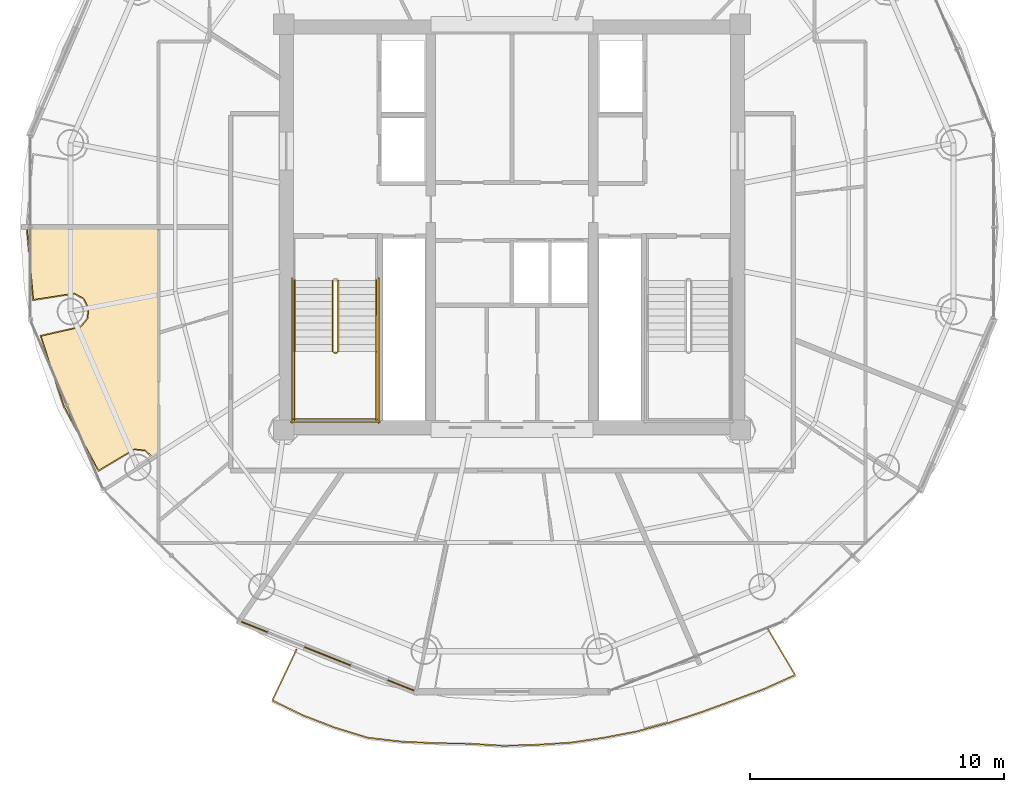
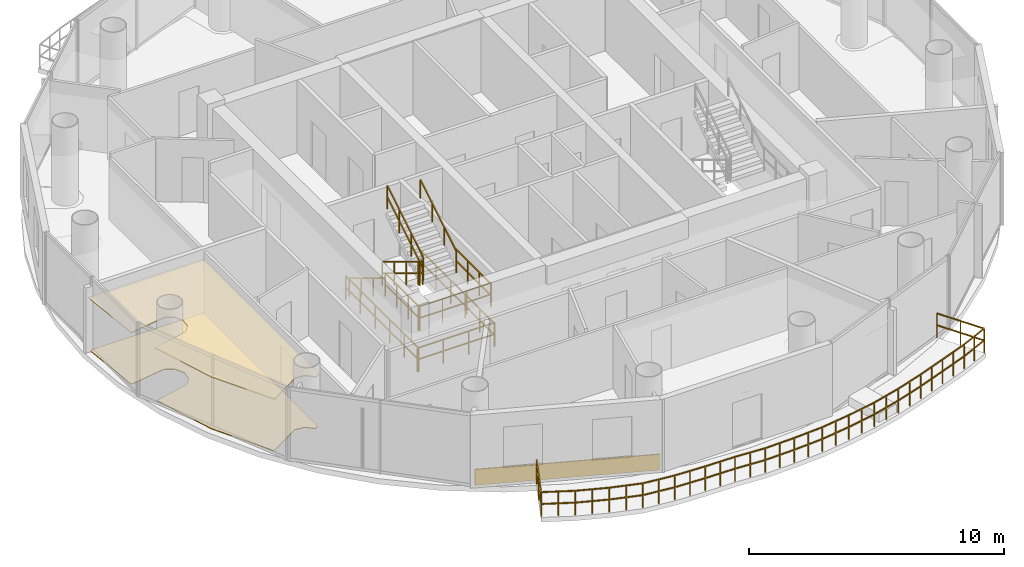
# One storey, part 22 of 24: 12 railings, 3 coverings.
"""IFC4 building model written with IfcOpenShell, lengths in metres."""

from ifc_helpers import new_model, si_unit, direction, frame, origin, origin_2d, place, context, subcontext, project, spatial, polyline, rectangle, outline, extrude, source, transform, mapped, material, layer, layer_set, type_object, element, save


model = new_model("IFC4")

# Units and contexts
model_context = context("Model", 3, precision=1e-05, world=origin(), true_north=direction((-0.2419218956, 0.970295726276)))
body_context = subcontext(model_context, "Body", "Model", "MODEL_VIEW")
ifc_project = project(units=[si_unit("LENGTHUNIT", "METRE"), si_unit("AREAUNIT", "SQUARE_METRE"), si_unit("VOLUMEUNIT", "CUBIC_METRE"), si_unit("PLANEANGLEUNIT", "RADIAN"), si_unit("MASSUNIT", "GRAM", prefix="KILO")], contexts=[model_context])

# Site, building, storey
site_placement = place(None, origin())
site = spatial("IfcSite", under=ifc_project, at=site_placement, CompositionType="ELEMENT")
building_placement = place(site_placement, origin())
building = spatial("IfcBuilding", under=site, at=building_placement, Name="Cobrevalo Terracotta Tower", CompositionType="ELEMENT")
storey_placement = place(building_placement, frame((0.0, 0.0, 270.699951171875)))
storey = spatial("IfcBuildingStorey", under=building, at=storey_placement, Name="L71", CompositionType="ELEMENT", Elevation=270.699951171875)

# Railing
ifc_material_1 = material(Name="Laminated structural glass and stainless steel", Category="steel")
railing_type_1 = type_object("IfcRailingType", Name="Balcony lobe structural glass & terracotta-cap balustrade 1180 mm", PredefinedType="BALUSTRADE", material=ifc_material_1)
railing_1_placement = place(storey_placement, frame((29.495849609375, 10.136474609375, 0.0)))
element("IfcRailing", 1, at=railing_1_placement, inside=storey, type_object=railing_type_1, Name="L71 spiralling balcony lobe balustrade 2", PredefinedType="BALUSTRADE", context=body_context, shape_type="SweptSolid", body=[
    extrude(rectangle(XDim=0.048095703125, YDim=0.048095703125, at=origin_2d()), frame((0.0, 0.0, 1.15576171875), z_axis=(-0.42853223145, -0.903526494691, 0.0), x_axis=(0.903526494691, -0.42853223145, 0.0)), (0.0, 0.0, 1.0), 2.212158203125),
    extrude(rectangle(XDim=0.048095703125, YDim=0.048095703125, at=origin_2d()), frame((0.0, 0.0, 0.58984375), z_axis=(-0.42853223145, -0.903526494691, 0.0), x_axis=(0.903526494691, -0.42853223145, 0.0)), (0.0, 0.0, 1.0), 2.212158203125),
    extrude(rectangle(XDim=0.048095703125, YDim=0.048095703125, at=origin_2d()), frame((-0.947998046875, -1.998779296875, 1.15576171875), z_axis=(0.899457144441, -0.437008976239, 0.0), x_axis=(0.437008976239, 0.899457144441, 0.0)), (0.0, 0.0, 1.0), 1.343505859375),
    extrude(rectangle(XDim=0.048095703125, YDim=0.048095703125, at=origin_2d()), frame((-0.947998046875, -1.998779296875, 0.58984375), z_axis=(0.899457144441, -0.437008976239, 0.0), x_axis=(0.437008976239, 0.899457144441, 0.0)), (0.0, 0.0, 1.0), 1.343505859375),
    extrude(rectangle(XDim=0.048095703125, YDim=0.048095703125, at=origin_2d()), frame((0.260498046875, -2.5859375, 1.15576171875), z_axis=(0.933205564217, -0.359342976716, 0.0), x_axis=(0.359342976716, 0.933205564217, 0.0)), (0.0, 0.0, 1.0), 1.3486328125),
    extrude(rectangle(XDim=0.048095703125, YDim=0.048095703125, at=origin_2d()), frame((0.260498046875, -2.5859375, 0.58984375), z_axis=(0.933205564217, -0.359342976716, 0.0), x_axis=(0.359342976716, 0.933205564217, 0.0)), (0.0, 0.0, 1.0), 1.3486328125),
    extrude(rectangle(XDim=0.048095703125, YDim=0.048095703125, at=origin_2d()), frame((1.51904296875, -3.070556640625, 1.15576171875), z_axis=(0.955888441057, -0.293729958047, 0.0), x_axis=(0.293729958047, 0.955888441057, 0.0)), (0.0, 0.0, 1.0), 1.349853515625),
    extrude(rectangle(XDim=0.048095703125, YDim=0.048095703125, at=origin_2d()), frame((1.51904296875, -3.070556640625, 0.58984375), z_axis=(0.955888441057, -0.293729958047, 0.0), x_axis=(0.293729958047, 0.955888441057, 0.0)), (0.0, 0.0, 1.0), 1.349853515625),
    extrude(rectangle(XDim=0.048095703125, YDim=0.048095703125, at=origin_2d()), frame((2.809326171875, -3.467041015625, 1.15576171875), z_axis=(0.993162895701, -0.116736723456, 0.0), x_axis=(0.116736723456, 0.993162895701, 0.0)), (0.0, 0.0, 1.0), 1.355224609375),
    extrude(rectangle(XDim=0.048095703125, YDim=0.048095703125, at=origin_2d()), frame((2.809326171875, -3.467041015625, 0.58984375), z_axis=(0.993162895701, -0.116736723456, 0.0), x_axis=(0.116736723456, 0.993162895701, 0.0)), (0.0, 0.0, 1.0), 1.355224609375),
    extrude(rectangle(XDim=0.048095703125, YDim=0.048095703125, at=origin_2d()), frame((4.1552734375, -3.625244140625, 1.15576171875), z_axis=(0.999055816775, -0.04344507991, 0.0), x_axis=(0.04344507991, 0.999055816775, 0.0)), (0.0, 0.0, 1.0), 1.3486328125),
    extrude(rectangle(XDim=0.048095703125, YDim=0.048095703125, at=origin_2d()), frame((4.1552734375, -3.625244140625, 0.58984375), z_axis=(0.999055816775, -0.04344507991, 0.0), x_axis=(0.04344507991, 0.999055816775, 0.0)), (0.0, 0.0, 1.0), 1.3486328125),
    extrude(rectangle(XDim=0.048095703125, YDim=0.048095703125, at=origin_2d()), frame((5.502685546875, -3.683837890625, 1.15576171875), z_axis=(0.999879110149, -0.015548796993, 0.0), x_axis=(0.015548796993, 0.999879110149, 0.0)), (0.0, 0.0, 1.0), 1.334716796875),
    extrude(rectangle(XDim=0.048095703125, YDim=0.048095703125, at=origin_2d()), frame((5.502685546875, -3.683837890625, 0.58984375), z_axis=(0.999879110149, -0.015548796993, 0.0), x_axis=(0.015548796993, 0.999879110149, 0.0)), (0.0, 0.0, 1.0), 1.334716796875),
    extrude(rectangle(XDim=0.048095703125, YDim=0.048095703125, at=origin_2d()), frame((6.837158203125, -3.70458984375, 1.15576171875), z_axis=(0.998102322699, -0.06157721512, 0.0), x_axis=(0.06157721512, 0.998102322699, 0.0)), (0.0, 0.0, 1.0), 1.328125),
    extrude(rectangle(XDim=0.048095703125, YDim=0.048095703125, at=origin_2d()), frame((6.837158203125, -3.70458984375, 0.58984375), z_axis=(0.998102322699, -0.06157721512, 0.0), x_axis=(0.06157721512, 0.998102322699, 0.0)), (0.0, 0.0, 1.0), 1.328125),
    extrude(rectangle(XDim=0.048095703125, YDim=0.048095703125, at=origin_2d()), frame((8.162841796875, -3.786376953125, 1.15576171875), z_axis=(0.999571564525, 0.029269222608, 0.0), x_axis=(-0.029269222608, 0.999571564525, 0.0)), (0.0, 0.0, 1.0), 1.326171875),
    extrude(rectangle(XDim=0.048095703125, YDim=0.048095703125, at=origin_2d()), frame((8.162841796875, -3.786376953125, 0.58984375), z_axis=(0.999571564525, 0.029269222608, 0.0), x_axis=(-0.029269222608, 0.999571564525, 0.0)), (0.0, 0.0, 1.0), 1.326171875),
    extrude(rectangle(XDim=0.048095703125, YDim=0.048095703125, at=origin_2d()), frame((9.488525390625, -3.74755859375, 1.15576171875), z_axis=(0.997951891363, 0.063968918437, 0.0), x_axis=(-0.063968918437, 0.997951891363, 0.0)), (0.0, 0.0, 1.0), 1.328125),
    extrude(rectangle(XDim=0.048095703125, YDim=0.048095703125, at=origin_2d()), frame((9.488525390625, -3.74755859375, 0.58984375), z_axis=(0.997951891363, 0.063968918437, 0.0), x_axis=(-0.063968918437, 0.997951891363, 0.0)), (0.0, 0.0, 1.0), 1.328125),
    extrude(rectangle(XDim=0.048095703125, YDim=0.048095703125, at=origin_2d()), frame((10.81396484375, -3.66259765625, 1.15576171875), z_axis=(0.989324788623, 0.145727357132, 0.0), x_axis=(-0.145727357132, 0.989324788623, 0.0)), (0.0, 0.0, 1.0), 1.3251953125),
    extrude(rectangle(XDim=0.048095703125, YDim=0.048095703125, at=origin_2d()), frame((10.81396484375, -3.66259765625, 0.58984375), z_axis=(0.989324788623, 0.145727357132, 0.0), x_axis=(-0.145727357132, 0.989324788623, 0.0)), (0.0, 0.0, 1.0), 1.3251953125),
    extrude(rectangle(XDim=0.048095703125, YDim=0.048095703125, at=origin_2d()), frame((12.125, -3.469482421875, 1.15576171875), z_axis=(0.982018256881, 0.188785971812, 0.0), x_axis=(-0.188785971812, 0.982018256881, 0.0)), (0.0, 0.0, 1.0), 1.326904296875),
    extrude(rectangle(XDim=0.048095703125, YDim=0.048095703125, at=origin_2d()), frame((12.125, -3.469482421875, 0.58984375), z_axis=(0.982018256881, 0.188785971812, 0.0), x_axis=(-0.188785971812, 0.982018256881, 0.0)), (0.0, 0.0, 1.0), 1.326904296875),
    extrude(rectangle(XDim=0.048095703125, YDim=0.048095703125, at=origin_2d()), frame((13.427978515625, -3.218994140625, 1.15576171875), z_axis=(0.96557656112, 0.260119020095, 0.0), x_axis=(-0.260119020095, 0.96557656112, 0.0)), (0.0, 0.0, 1.0), 1.323486328125),
    extrude(rectangle(XDim=0.048095703125, YDim=0.048095703125, at=origin_2d()), frame((13.427978515625, -3.218994140625, 0.58984375), z_axis=(0.96557656112, 0.260119020095, 0.0), x_axis=(-0.260119020095, 0.96557656112, 0.0)), (0.0, 0.0, 1.0), 1.323486328125),
    extrude(rectangle(XDim=0.048095703125, YDim=0.048095703125, at=origin_2d()), frame((14.705810546875, -2.874755859375, 1.15576171875), z_axis=(0.950310908011, 0.311302390153, 0.0), x_axis=(-0.311302390153, 0.950310908011, 0.0)), (0.0, 0.0, 1.0), 1.32470703125),
    extrude(rectangle(XDim=0.048095703125, YDim=0.048095703125, at=origin_2d()), frame((14.705810546875, -2.874755859375, 0.58984375), z_axis=(0.950310908011, 0.311302390153, 0.0), x_axis=(-0.311302390153, 0.950310908011, 0.0)), (0.0, 0.0, 1.0), 1.32470703125),
    extrude(rectangle(XDim=0.048095703125, YDim=0.048095703125, at=origin_2d()), frame((15.964599609375, -2.46240234375, 1.15576171875), z_axis=(0.939188219159, 0.343402808656, 0.0), x_axis=(-0.343402808656, 0.939188219159, 0.0)), (0.0, 0.0, 1.0), 1.322265625),
    extrude(rectangle(XDim=0.048095703125, YDim=0.048095703125, at=origin_2d()), frame((15.964599609375, -2.46240234375, 0.58984375), z_axis=(0.939188219159, 0.343402808656, 0.0), x_axis=(-0.343402808656, 0.939188219159, 0.0)), (0.0, 0.0, 1.0), 1.322265625),
    extrude(rectangle(XDim=0.048095703125, YDim=0.048095703125, at=origin_2d()), frame((17.20654296875, -2.00830078125, 1.15576171875), z_axis=(0.937012739346, 0.349295185056, 0.0), x_axis=(-0.349295185056, 0.937012739346, 0.0)), (0.0, 0.0, 1.0), 1.332275390625),
    extrude(rectangle(XDim=0.048095703125, YDim=0.048095703125, at=origin_2d()), frame((17.20654296875, -2.00830078125, 0.58984375), z_axis=(0.937012739346, 0.349295185056, 0.0), x_axis=(-0.349295185056, 0.937012739346, 0.0)), (0.0, 0.0, 1.0), 1.332275390625),
    extrude(rectangle(XDim=0.048095703125, YDim=0.048095703125, at=origin_2d()), frame((18.454833984375, -1.54296875, 1.15576171875), z_axis=(0.911571966461, 0.411140547699, 0.0), x_axis=(-0.411140547699, 0.911571966461, 0.0)), (0.0, 0.0, 1.0), 1.334228515625),
    extrude(rectangle(XDim=0.048095703125, YDim=0.048095703125, at=origin_2d()), frame((18.454833984375, -1.54296875, 0.58984375), z_axis=(0.911571966461, 0.411140547699, 0.0), x_axis=(-0.411140547699, 0.911571966461, 0.0)), (0.0, 0.0, 1.0), 1.334228515625),
    extrude(rectangle(XDim=0.048095703125, YDim=0.048095703125, at=origin_2d()), frame((19.671142578125, -0.994384765625, 1.15576171875), z_axis=(-0.509498750824, 0.860471395753, 0.0), x_axis=(-0.860471395753, -0.509498750824, 0.0)), (0.0, 0.0, 1.0), 2.115966796875),
    extrude(rectangle(XDim=0.048095703125, YDim=0.048095703125, at=origin_2d()), frame((19.671142578125, -0.994384765625, 0.58984375), z_axis=(-0.509498750824, 0.860471395753, 0.0), x_axis=(-0.860471395753, -0.509498750824, 0.0)), (0.0, 0.0, 1.0), 2.115966796875),
    extrude(rectangle(XDim=0.0419921875, YDim=0.0419921875, at=origin_2d()), origin(), (0.0, 0.0, 1.0), 1.1318359375),
    extrude(rectangle(XDim=0.0419921875, YDim=0.0419921875, at=origin_2d()), frame((-0.47412109375, -0.99951171875, 0.0)), (0.0, 0.0, 1.0), 1.1318359375),
    extrude(rectangle(XDim=0.0419921875, YDim=0.0419921875, at=origin_2d()), frame((-0.947998046875, -1.998779296875, 0.0)), (0.0, 0.0, 1.0), 1.1318359375),
    extrude(rectangle(XDim=0.0419921875, YDim=0.0419921875, at=origin_2d()), frame((-0.34375, -2.29248046875, 0.0)), (0.0, 0.0, 1.0), 1.1318359375),
    extrude(rectangle(XDim=0.0419921875, YDim=0.0419921875, at=origin_2d()), frame((0.260498046875, -2.5859375, 0.0)), (0.0, 0.0, 1.0), 1.1318359375),
    extrude(rectangle(XDim=0.0419921875, YDim=0.0419921875, at=origin_2d()), frame((0.8896484375, -2.828125, 0.0)), (0.0, 0.0, 1.0), 1.1318359375),
    extrude(rectangle(XDim=0.0419921875, YDim=0.0419921875, at=origin_2d()), frame((1.51904296875, -3.070556640625, 0.0)), (0.0, 0.0, 1.0), 1.1318359375),
    extrude(rectangle(XDim=0.0419921875, YDim=0.0419921875, at=origin_2d()), frame((2.1640625, -3.268798828125, 0.0)), (0.0, 0.0, 1.0), 1.1318359375),
    extrude(rectangle(XDim=0.0419921875, YDim=0.0419921875, at=origin_2d()), frame((2.809326171875, -3.467041015625, 0.0)), (0.0, 0.0, 1.0), 1.1318359375),
    extrude(rectangle(XDim=0.0419921875, YDim=0.0419921875, at=origin_2d()), frame((3.482421875, -3.546142578125, 0.0)), (0.0, 0.0, 1.0), 1.1318359375),
    extrude(rectangle(XDim=0.0419921875, YDim=0.0419921875, at=origin_2d()), frame((4.1552734375, -3.625244140625, 0.0)), (0.0, 0.0, 1.0), 1.1318359375),
    extrude(rectangle(XDim=0.0419921875, YDim=0.0419921875, at=origin_2d()), frame((4.8291015625, -3.654541015625, 0.0)), (0.0, 0.0, 1.0), 1.1318359375),
    extrude(rectangle(XDim=0.0419921875, YDim=0.0419921875, at=origin_2d()), frame((5.502685546875, -3.683837890625, 0.0)), (0.0, 0.0, 1.0), 1.1318359375),
    extrude(rectangle(XDim=0.0419921875, YDim=0.0419921875, at=origin_2d()), frame((6.169921875, -3.6943359375, 0.0)), (0.0, 0.0, 1.0), 1.1318359375),
    extrude(rectangle(XDim=0.0419921875, YDim=0.0419921875, at=origin_2d()), frame((6.837158203125, -3.70458984375, 0.0)), (0.0, 0.0, 1.0), 1.1318359375),
    extrude(rectangle(XDim=0.0419921875, YDim=0.0419921875, at=origin_2d()), frame((7.5, -3.74560546875, 0.0)), (0.0, 0.0, 1.0), 1.1318359375),
    extrude(rectangle(XDim=0.0419921875, YDim=0.0419921875, at=origin_2d()), frame((8.162841796875, -3.786376953125, 0.0)), (0.0, 0.0, 1.0), 1.1318359375),
    extrude(rectangle(XDim=0.0419921875, YDim=0.0419921875, at=origin_2d()), frame((8.82568359375, -3.76708984375, 0.0)), (0.0, 0.0, 1.0), 1.1318359375),
    extrude(rectangle(XDim=0.0419921875, YDim=0.0419921875, at=origin_2d()), frame((9.488525390625, -3.74755859375, 0.0)), (0.0, 0.0, 1.0), 1.1318359375),
    extrude(rectangle(XDim=0.0419921875, YDim=0.0419921875, at=origin_2d()), frame((10.1513671875, -3.705078125, 0.0)), (0.0, 0.0, 1.0), 1.1318359375),
    extrude(rectangle(XDim=0.0419921875, YDim=0.0419921875, at=origin_2d()), frame((10.81396484375, -3.66259765625, 0.0)), (0.0, 0.0, 1.0), 1.1318359375),
    extrude(rectangle(XDim=0.0419921875, YDim=0.0419921875, at=origin_2d()), frame((11.469482421875, -3.56591796875, 0.0)), (0.0, 0.0, 1.0), 1.1318359375),
    extrude(rectangle(XDim=0.0419921875, YDim=0.0419921875, at=origin_2d()), frame((12.125, -3.469482421875, 0.0)), (0.0, 0.0, 1.0), 1.1318359375),
    extrude(rectangle(XDim=0.0419921875, YDim=0.0419921875, at=origin_2d()), frame((12.7763671875, -3.34423828125, 0.0)), (0.0, 0.0, 1.0), 1.1318359375),
    extrude(rectangle(XDim=0.0419921875, YDim=0.0419921875, at=origin_2d()), frame((13.427978515625, -3.218994140625, 0.0)), (0.0, 0.0, 1.0), 1.1318359375),
    extrude(rectangle(XDim=0.0419921875, YDim=0.0419921875, at=origin_2d()), frame((14.06689453125, -3.046875, 0.0)), (0.0, 0.0, 1.0), 1.1318359375),
    extrude(rectangle(XDim=0.0419921875, YDim=0.0419921875, at=origin_2d()), frame((14.705810546875, -2.874755859375, 0.0)), (0.0, 0.0, 1.0), 1.1318359375),
    extrude(rectangle(XDim=0.0419921875, YDim=0.0419921875, at=origin_2d()), frame((15.335205078125, -2.66845703125, 0.0)), (0.0, 0.0, 1.0), 1.1318359375),
    extrude(rectangle(XDim=0.0419921875, YDim=0.0419921875, at=origin_2d()), frame((15.964599609375, -2.46240234375, 0.0)), (0.0, 0.0, 1.0), 1.1318359375),
    extrude(rectangle(XDim=0.0419921875, YDim=0.0419921875, at=origin_2d()), frame((16.58544921875, -2.2353515625, 0.0)), (0.0, 0.0, 1.0), 1.1318359375),
    extrude(rectangle(XDim=0.0419921875, YDim=0.0419921875, at=origin_2d()), frame((17.20654296875, -2.00830078125, 0.0)), (0.0, 0.0, 1.0), 1.1318359375),
    extrude(rectangle(XDim=0.0419921875, YDim=0.0419921875, at=origin_2d()), frame((17.83056640625, -1.775634765625, 0.0)), (0.0, 0.0, 1.0), 1.1318359375),
    extrude(rectangle(XDim=0.0419921875, YDim=0.0419921875, at=origin_2d()), frame((18.454833984375, -1.54296875, 0.0)), (0.0, 0.0, 1.0), 1.1318359375),
    extrude(rectangle(XDim=0.0419921875, YDim=0.0419921875, at=origin_2d()), frame((19.06298828125, -1.2685546875, 0.0)), (0.0, 0.0, 1.0), 1.1318359375),
    extrude(rectangle(XDim=0.0419921875, YDim=0.0419921875, at=origin_2d()), frame((19.671142578125, -0.994384765625, 0.0)), (0.0, 0.0, 1.0), 1.1318359375),
    extrude(rectangle(XDim=0.0419921875, YDim=0.0419921875, at=origin_2d()), frame((19.132080078125, -0.083984375, 0.0)), (0.0, 0.0, 1.0), 1.1318359375),
    extrude(rectangle(XDim=0.0419921875, YDim=0.0419921875, at=origin_2d()), frame((18.593017578125, 0.826416015625, 0.0)), (0.0, 0.0, 1.0), 1.1318359375),
])

# Coverings
ifc_material_2 = material(Name="Engineered Brazilian hardwood flooring", Category="wood")
ifc_layer_1 = layer(ifc_material_2, 0.028076171875)
ifc_layer_set_1 = layer_set([ifc_layer_1], Name="Engineered Brazilian hardwood flooring")
covering_type_1 = type_object("IfcCoveringType", Name="Engineered Hardwood Suite Flooring 28", PredefinedType="FLOORING", material=ifc_layer_set_1)
covering_1_placement = place(storey_placement, origin())
element("IfcCovering", 2, at=covering_1_placement, inside=storey, type_object=covering_type_1, Name="Flat L71B Living and Dining Room floor finish", PredefinedType="FLOORING", context=body_context, shape_type="SweptSolid", body=[
    extrude(outline(polyline([(20.33544921875, 19.751220703125), (19.43505859375, 22.49951171875), (20.99755859375, 22.855224609375), (21.272705078125, 23.185302734375), (21.318115234375, 23.612548828125), (21.118408203125, 23.9931640625), (20.740966796875, 24.198486328125), (19.1357421875, 23.948974609375), (18.88134765625, 26.780029296875), (24.034912109375, 26.780029296875), (24.034912109375, 17.829345703125), (23.864501953125, 17.719482421875), (23.537109375, 18.005859375), (23.1103515625, 18.055908203125), (21.699951171875, 17.217529296875), (20.33544921875, 19.751220703125)])), origin(), (0.0, 0.0, 1.0), 0.030029296875),
])
ifc_material_3 = material(Name="Acoustic perforated gypsum ceiling", Category="gypsum")
ifc_layer_2 = layer(ifc_material_3, 0.050048828125)
ifc_layer_set_2 = layer_set([ifc_layer_2], Name="Acoustic perforated gypsum ceiling")
covering_type_2 = type_object("IfcCoveringType", Name="Perforated Acoustic Gypsum Ceiling 50", PredefinedType="CEILING", material=ifc_layer_set_2)
covering_2_placement = place(storey_placement, frame((0.0, 0.0, 2.5)))
element("IfcCovering", 3, at=covering_2_placement, inside=storey, type_object=covering_type_2, Name="Flat L71B Living and Dining Room acoustic ceiling", PredefinedType="CEILING", context=body_context, shape_type="SweptSolid", body=[
    extrude(outline(polyline([(20.2939453125, 19.7333984375), (19.3818359375, 22.53515625), (20.97265625, 22.89306640625), (21.23095703125, 23.202880859375), (21.273681640625, 23.60400390625), (21.086181640625, 23.96142578125), (20.731689453125, 24.154296875), (19.100830078125, 23.896484375), (18.833251953125, 26.824951171875), (24.080078125, 26.824951171875), (24.080078125, 17.804931640625), (23.853271484375, 17.658935546875), (23.51904296875, 17.964599609375), (23.118408203125, 18.011474609375), (21.687744140625, 17.15625), (20.2939453125, 19.7333984375)])), origin(), (0.0, 0.0, 1.0), 0.050048828125),
])

# Railings
ifc_material_4 = material(Name="Brushed stainless steel", Category="steel")
railing_type_2 = type_object("IfcRailingType", Name="Stainless Steel Stair Handrail 900", PredefinedType="HANDRAIL", material=ifc_material_4)
railing_2_placement = place(storey_placement, frame((29.425048828125, 24.699951171875, 0.17041015625)))
element("IfcRailing", 4, at=railing_2_placement, inside=storey, type_object=railing_type_2, Name="L71 ST-1 stair handrail 1", PredefinedType="HANDRAIL", context=body_context, shape_type="SweptSolid", body=[
    extrude(rectangle(XDim=0.048095703125, YDim=0.048095703125, at=origin_2d()), frame((0.0, 0.0, 0.8759765625), z_axis=(0.0, -0.854169791009, 0.51999420009), x_axis=(1.0, 0.0, 0.0)), (0.0, 0.0, 1.0), 3.278076171875),
    extrude(rectangle(XDim=0.0419921875, YDim=0.0419921875, at=origin_2d()), origin(), (0.0, 0.0, 1.0), 0.851806640625),
    extrude(rectangle(XDim=0.0419921875, YDim=0.0419921875, at=origin_2d()), frame((0.0, -0.933349609375, 0.568115234375)), (0.0, 0.0, 1.0), 0.851806640625),
    extrude(rectangle(XDim=0.0419921875, YDim=0.0419921875, at=origin_2d()), frame((0.0, -1.86669921875, 1.136474609375)), (0.0, 0.0, 1.0), 0.851806640625),
    extrude(rectangle(XDim=0.0419921875, YDim=0.0419921875, at=origin_2d()), frame((0.0, -2.800048828125, 1.70458984375)), (0.0, 0.0, 1.0), 0.851806640625),
])
railing_3_placement = place(storey_placement, frame((32.64501953125, 21.89990234375, 2.04541015625)))
element("IfcRailing", 5, at=railing_3_placement, inside=storey, type_object=railing_type_2, Name="L71 ST-1 stair handrail 2", PredefinedType="HANDRAIL", context=body_context, shape_type="SweptSolid", body=[
    extrude(rectangle(XDim=0.048095703125, YDim=0.048095703125, at=origin_2d()), frame((0.0, 0.0, 0.8759765625), z_axis=(0.0, 0.854169791009, 0.51999420009), x_axis=(-1.0, 0.0, 0.0)), (0.0, 0.0, 1.0), 3.278076171875),
    extrude(rectangle(XDim=0.0419921875, YDim=0.0419921875, at=origin_2d()), origin(), (0.0, 0.0, 1.0), 0.851806640625),
    extrude(rectangle(XDim=0.0419921875, YDim=0.0419921875, at=origin_2d()), frame((0.0, 0.933349609375, 0.568115234375)), (0.0, 0.0, 1.0), 0.851806640625),
    extrude(rectangle(XDim=0.0419921875, YDim=0.0419921875, at=origin_2d()), frame((0.0, 1.86669921875, 1.136474609375)), (0.0, 0.0, 1.0), 0.851806640625),
    extrude(rectangle(XDim=0.0419921875, YDim=0.0419921875, at=origin_2d()), frame((0.0, 2.800048828125, 1.70458984375)), (0.0, 0.0, 1.0), 0.851806640625),
])
ifc_material_5 = material(Name="Painted galvanized steel", Category="steel")
railing_type_3 = type_object("IfcRailingType", Name="Stair Well Guard Balustrade 1150", PredefinedType="GUARDRAIL", material=ifc_material_5)
railing_4_placement = place(storey_placement, frame((30.925048828125, 24.699951171875, 0.17041015625)))
element("IfcRailing", 6, at=railing_4_placement, inside=storey, type_object=railing_type_3, Name="L71 ST-1 stair guard 1", PredefinedType="GUARDRAIL", context=body_context, shape_type="SweptSolid", body=[
    extrude(rectangle(XDim=0.048095703125, YDim=0.048095703125, at=origin_2d()), frame((0.0, 0.0, 1.1259765625), z_axis=(0.0, -0.854169791009, 0.51999420009), x_axis=(1.0, 0.0, 0.0)), (0.0, 0.0, 1.0), 3.278076171875),
    extrude(rectangle(XDim=0.048095703125, YDim=0.048095703125, at=origin_2d()), frame((0.0, 0.0, 0.574951171875), z_axis=(0.0, -0.854169791009, 0.51999420009), x_axis=(1.0, 0.0, 0.0)), (0.0, 0.0, 1.0), 3.278076171875),
    extrude(rectangle(XDim=0.0419921875, YDim=0.0419921875, at=origin_2d()), origin(), (0.0, 0.0, 1.0), 1.101806640625),
    extrude(rectangle(XDim=0.0419921875, YDim=0.0419921875, at=origin_2d()), frame((0.0, -0.933349609375, 0.568115234375)), (0.0, 0.0, 1.0), 1.101806640625),
    extrude(rectangle(XDim=0.0419921875, YDim=0.0419921875, at=origin_2d()), frame((0.0, -1.86669921875, 1.136474609375)), (0.0, 0.0, 1.0), 1.101806640625),
    extrude(rectangle(XDim=0.0419921875, YDim=0.0419921875, at=origin_2d()), frame((0.0, -2.800048828125, 1.70458984375)), (0.0, 0.0, 1.0), 1.101806640625),
])
railing_5_placement = place(storey_placement, frame((30.97509765625, 21.85009765625, 1.875)))
element("IfcRailing", 7, at=railing_5_placement, inside=storey, type_object=railing_type_3, Name="L71 ST-1 stair guard 2", PredefinedType="GUARDRAIL", context=body_context, shape_type="SweptSolid", body=[
    extrude(rectangle(XDim=0.048095703125, YDim=0.048095703125, at=origin_2d()), frame((0.0, 0.0, 1.1259765625), z_axis=(1.0, 0.0, 0.0), x_axis=(0.0, 1.0, 0.0)), (0.0, 0.0, 1.0), 0.119873046875),
    extrude(rectangle(XDim=0.048095703125, YDim=0.048095703125, at=origin_2d()), frame((0.0, 0.0, 0.574951171875), z_axis=(1.0, 0.0, 0.0), x_axis=(0.0, 1.0, 0.0)), (0.0, 0.0, 1.0), 0.119873046875),
    extrude(rectangle(XDim=0.0419921875, YDim=0.0419921875, at=origin_2d()), origin(), (0.0, 0.0, 1.0), 1.101806640625),
    extrude(rectangle(XDim=0.0419921875, YDim=0.0419921875, at=origin_2d()), frame((0.119873046875, 0.0, 0.0)), (0.0, 0.0, 1.0), 1.101806640625),
])
for number, where, name in (
    (8, (29.425048828125, 21.89990234375, 1.875), "L71 ST-1 stair guard 3"),
    (9, (32.64501953125, 21.89990234375, 1.875), "L71 ST-1 stair guard 4"),
):
    element("IfcRailing", number, at=place(storey_placement, frame(where)), inside=storey, type_object=railing_type_3, Name=name, PredefinedType="GUARDRAIL", context=body_context, shape_type="SweptSolid", body=[
        extrude(rectangle(XDim=0.048095703125, YDim=0.048095703125, at=origin_2d()), frame((0.0, 0.0, 1.1259765625), z_axis=(0.0, -1.0, 0.0), x_axis=(1.0, 0.0, 0.0)), (0.0, 0.0, 1.0), 2.724853515625),
        extrude(rectangle(XDim=0.048095703125, YDim=0.048095703125, at=origin_2d()), frame((0.0, 0.0, 0.574951171875), z_axis=(0.0, -1.0, 0.0), x_axis=(1.0, 0.0, 0.0)), (0.0, 0.0, 1.0), 2.724853515625),
        extrude(rectangle(XDim=0.0419921875, YDim=0.0419921875, at=origin_2d()), origin(), (0.0, 0.0, 1.0), 1.101806640625),
        extrude(rectangle(XDim=0.0419921875, YDim=0.0419921875, at=origin_2d()), frame((0.0, -0.908203125, 0.0)), (0.0, 0.0, 1.0), 1.101806640625),
        extrude(rectangle(XDim=0.0419921875, YDim=0.0419921875, at=origin_2d()), frame((0.0, -1.816650390625, 0.0)), (0.0, 0.0, 1.0), 1.101806640625),
        extrude(rectangle(XDim=0.0419921875, YDim=0.0419921875, at=origin_2d()), frame((0.0, -2.724853515625, 0.0)), (0.0, 0.0, 1.0), 1.101806640625),
    ])
railing_6_placement = place(storey_placement, frame((29.375, 19.22509765625, 1.875)))
element("IfcRailing", 10, at=railing_6_placement, inside=storey, type_object=railing_type_3, Name="L71 ST-1 stair guard 5", PredefinedType="GUARDRAIL", context=body_context, shape_type="SweptSolid", body=[
    extrude(rectangle(XDim=0.048095703125, YDim=0.048095703125, at=origin_2d()), frame((0.0, 0.0, 1.1259765625), z_axis=(1.0, 0.0, 0.0), x_axis=(0.0, 1.0, 0.0)), (0.0, 0.0, 1.0), 3.320068359375),
    extrude(rectangle(XDim=0.048095703125, YDim=0.048095703125, at=origin_2d()), frame((0.0, 0.0, 0.574951171875), z_axis=(1.0, 0.0, 0.0), x_axis=(0.0, 1.0, 0.0)), (0.0, 0.0, 1.0), 3.320068359375),
    extrude(rectangle(XDim=0.0419921875, YDim=0.0419921875, at=origin_2d()), origin(), (0.0, 0.0, 1.0), 1.101806640625),
    extrude(rectangle(XDim=0.0419921875, YDim=0.0419921875, at=origin_2d()), frame((1.106689453125, 0.0, 0.0)), (0.0, 0.0, 1.0), 1.101806640625),
    extrude(rectangle(XDim=0.0419921875, YDim=0.0419921875, at=origin_2d()), frame((2.21337890625, 0.0, 0.0)), (0.0, 0.0, 1.0), 1.101806640625),
    extrude(rectangle(XDim=0.0419921875, YDim=0.0419921875, at=origin_2d()), frame((3.320068359375, 0.0, 0.0)), (0.0, 0.0, 1.0), 1.101806640625),
])
railing_7_placement = place(storey_placement, frame((31.14501953125, 21.89990234375, 2.04541015625)))
element("IfcRailing", 11, at=railing_7_placement, inside=storey, type_object=railing_type_3, Name="L71 ST-1 stair guard 6", PredefinedType="GUARDRAIL", context=body_context, shape_type="SweptSolid", body=[
    extrude(rectangle(XDim=0.048095703125, YDim=0.048095703125, at=origin_2d()), frame((0.0, 0.0, 1.1259765625), z_axis=(0.0, 0.854169791009, 0.51999420009), x_axis=(-1.0, 0.0, 0.0)), (0.0, 0.0, 1.0), 3.278076171875),
    extrude(rectangle(XDim=0.048095703125, YDim=0.048095703125, at=origin_2d()), frame((0.0, 0.0, 0.574951171875), z_axis=(0.0, 0.854169791009, 0.51999420009), x_axis=(-1.0, 0.0, 0.0)), (0.0, 0.0, 1.0), 3.278076171875),
    extrude(rectangle(XDim=0.0419921875, YDim=0.0419921875, at=origin_2d()), origin(), (0.0, 0.0, 1.0), 1.101806640625),
    extrude(rectangle(XDim=0.0419921875, YDim=0.0419921875, at=origin_2d()), frame((0.0, 0.933349609375, 0.568115234375)), (0.0, 0.0, 1.0), 1.101806640625),
    extrude(rectangle(XDim=0.0419921875, YDim=0.0419921875, at=origin_2d()), frame((0.0, 1.86669921875, 1.136474609375)), (0.0, 0.0, 1.0), 1.101806640625),
    extrude(rectangle(XDim=0.0419921875, YDim=0.0419921875, at=origin_2d()), frame((0.0, 2.800048828125, 1.70458984375)), (0.0, 0.0, 1.0), 1.101806640625),
])
for number, where, name in (
    (12, (29.324951171875, 24.800048828125, 0.0), "L71 ST-1 stair guard 10"),
    (13, (32.7451171875, 24.800048828125, 0.0), "L71 ST-1 stair guard 11"),
):
    element("IfcRailing", number, at=place(storey_placement, frame(where)), inside=storey, type_object=railing_type_3, Name=name, PredefinedType="GUARDRAIL", context=body_context, shape_type="SweptSolid", body=[
        extrude(rectangle(XDim=0.048095703125, YDim=0.048095703125, at=origin_2d()), frame((0.0, 0.0, 1.1259765625), z_axis=(0.0, -1.0, 0.0), x_axis=(1.0, 0.0, 0.0)), (0.0, 0.0, 1.0), 5.72509765625),
        extrude(rectangle(XDim=0.048095703125, YDim=0.048095703125, at=origin_2d()), frame((0.0, 0.0, 0.574951171875), z_axis=(0.0, -1.0, 0.0), x_axis=(1.0, 0.0, 0.0)), (0.0, 0.0, 1.0), 5.72509765625),
        extrude(rectangle(XDim=0.0419921875, YDim=0.0419921875, at=origin_2d()), origin(), (0.0, 0.0, 1.0), 1.101806640625),
        extrude(rectangle(XDim=0.0419921875, YDim=0.0419921875, at=origin_2d()), frame((0.0, -1.14501953125, 0.0)), (0.0, 0.0, 1.0), 1.101806640625),
        extrude(rectangle(XDim=0.0419921875, YDim=0.0419921875, at=origin_2d()), frame((0.0, -2.2900390625, 0.0)), (0.0, 0.0, 1.0), 1.101806640625),
        extrude(rectangle(XDim=0.0419921875, YDim=0.0419921875, at=origin_2d()), frame((0.0, -3.43505859375, 0.0)), (0.0, 0.0, 1.0), 1.101806640625),
        extrude(rectangle(XDim=0.0419921875, YDim=0.0419921875, at=origin_2d()), frame((0.0, -4.580078125, 0.0)), (0.0, 0.0, 1.0), 1.101806640625),
        extrude(rectangle(XDim=0.0419921875, YDim=0.0419921875, at=origin_2d()), frame((0.0, -5.72509765625, 0.0)), (0.0, 0.0, 1.0), 1.101806640625),
    ])
railing_8_placement = place(storey_placement, frame((29.27490234375, 19.125, 0.0)))
element("IfcRailing", 14, at=railing_8_placement, inside=storey, type_object=railing_type_3, Name="L71 ST-1 stair guard 12", PredefinedType="GUARDRAIL", context=body_context, shape_type="SweptSolid", body=[
    extrude(rectangle(XDim=0.048095703125, YDim=0.048095703125, at=origin_2d()), frame((0.0, 0.0, 1.1259765625), z_axis=(1.0, 0.0, 0.0), x_axis=(0.0, 1.0, 0.0)), (0.0, 0.0, 1.0), 3.52001953125),
    extrude(rectangle(XDim=0.048095703125, YDim=0.048095703125, at=origin_2d()), frame((0.0, 0.0, 0.574951171875), z_axis=(1.0, 0.0, 0.0), x_axis=(0.0, 1.0, 0.0)), (0.0, 0.0, 1.0), 3.52001953125),
    extrude(rectangle(XDim=0.0419921875, YDim=0.0419921875, at=origin_2d()), origin(), (0.0, 0.0, 1.0), 1.101806640625),
    extrude(rectangle(XDim=0.0419921875, YDim=0.0419921875, at=origin_2d()), frame((1.17333984375, 0.0, 0.0)), (0.0, 0.0, 1.0), 1.101806640625),
    extrude(rectangle(XDim=0.0419921875, YDim=0.0419921875, at=origin_2d()), frame((2.3466796875, 0.0, 0.0)), (0.0, 0.0, 1.0), 1.101806640625),
    extrude(rectangle(XDim=0.0419921875, YDim=0.0419921875, at=origin_2d()), frame((3.52001953125, 0.0, 0.0)), (0.0, 0.0, 1.0), 1.101806640625),
])

# Covering
ifc_material_6 = material(Name="Glazed terracotta facade cladding tile", Category="masonry")
ifc_layer_3 = layer(ifc_material_6, 0.044921875)
ifc_layer_set_3 = layer_set([ifc_layer_3], Name="Glazed terracotta facade cladding tile")
covering_type_3 = type_object("IfcCoveringType", Name="Architectural terracotta rainscreen spandrel cladding 45 mm", PredefinedType="CLADDING", material=ifc_layer_set_3)
shared_shape = source(origin(), body_context, "Body", "SweptSolid", [
    extrude(rectangle(XDim=7.318359375, YDim=0.044921875, at=origin_2d()), origin(), (0.0, 0.0, 1.0), 0.760009765625),
])
covering_3_placement = place(storey_placement, frame((30.729736328125, 9.882568359375, 0.0400390625), z_axis=(0.0, 0.0, 1.0), x_axis=(0.92871833374, -0.370785998353, 0.0)))
element("IfcCovering", 15, at=covering_3_placement, inside=storey, type_object=covering_type_3, Name="L71 terracotta spandrel cladding S11", PredefinedType="CLADDING", context=body_context, shape_type="MappedRepresentation", body=[
    mapped(shared_shape, transform((0.0, 0.0, 0.0), scale=1.0)),
])

save(model, "model.ifc")
